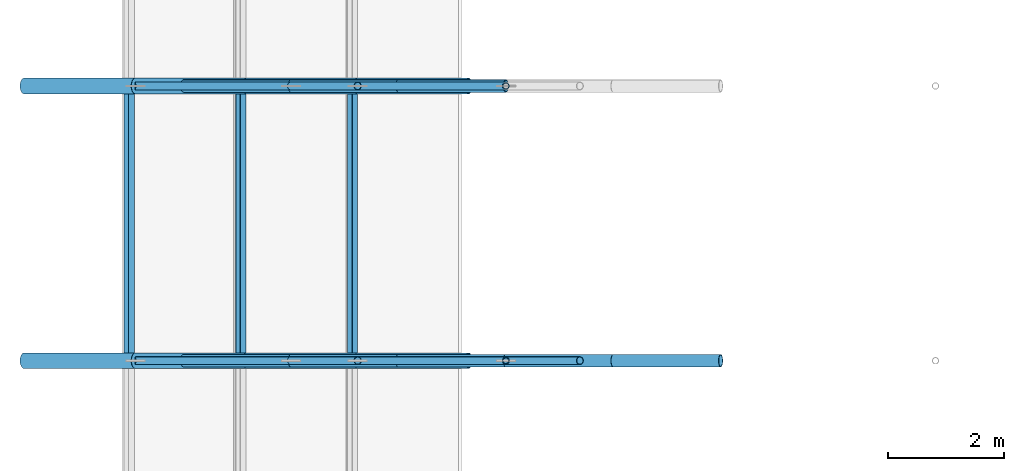
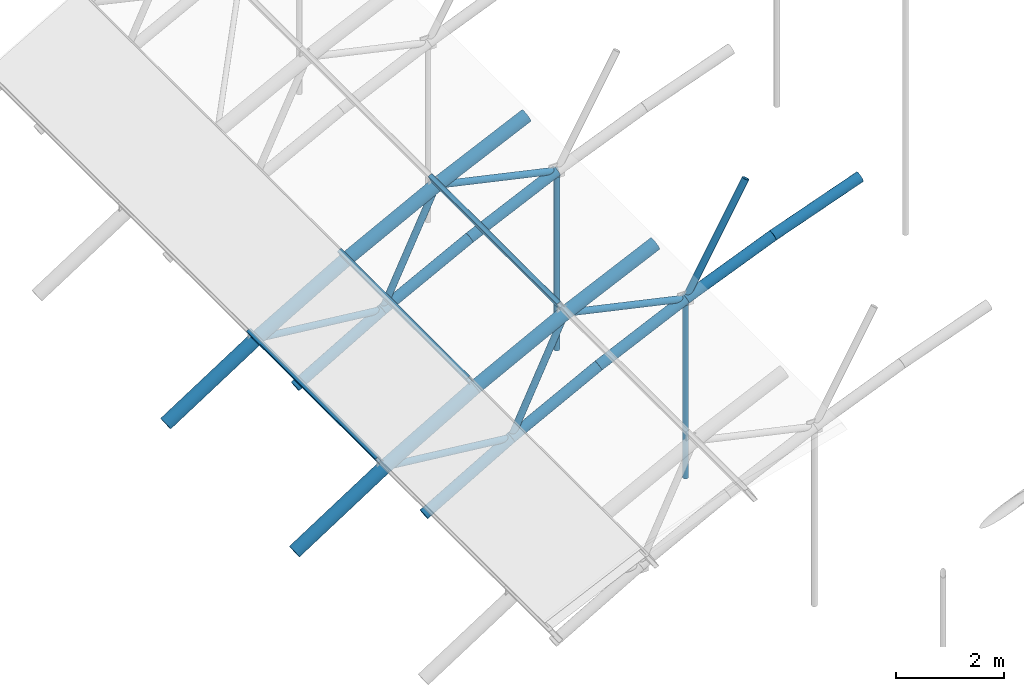
# One storey, part 10 of 50: 28 members.
"""IFC4 building model written with IfcOpenShell, lengths in metres."""

from ifc_helpers import new_model, si_unit, direction, frame, origin, origin_2d, place, context, subcontext, project, spatial, hollow_rectangle, hollow_circle, extrude, material, material_profile, profile_set, type_object, element, save


model = new_model("IFC4")

# Units and contexts
model_context = context("Model", 3, precision=1e-05, world=origin(), true_north=direction((0.0, 1.0)))
body_context = subcontext(model_context, "Body", "Model", "MODEL_VIEW")
ifc_project = project(units=[si_unit("LENGTHUNIT", "METRE"), si_unit("AREAUNIT", "SQUARE_METRE"), si_unit("VOLUMEUNIT", "CUBIC_METRE"), si_unit("PLANEANGLEUNIT", "RADIAN"), si_unit("MASSUNIT", "GRAM", prefix="KILO")], contexts=[model_context])

# Site, building, storey
site_placement = place(None, origin())
site = spatial("IfcSite", under=ifc_project, at=site_placement, CompositionType="ELEMENT")
building_placement = place(site_placement, origin())
building = spatial("IfcBuilding", under=site, at=building_placement, Name="Elbe Cascade School", CompositionType="ELEMENT")
storey_placement = place(building_placement, frame((0.0, 0.0, 15.300048828125)))
storey = spatial("IfcBuildingStorey", under=building, at=storey_placement, Name="L04", CompositionType="ELEMENT", Elevation=15.300048828125)

# Members
ifc_material_1 = material(Name="Steel S355J2H", Category="steel")
ifc_material_profile_1 = material_profile(ifc_material_1, hollow_circle(Radius=0.109619140625, WallThickness=0.012451171875, at=origin_2d()), Name="CHS 219.1x12.5")
ifc_profile_set_1 = profile_set([ifc_material_profile_1], Name="Steel S355J2H")
member_type_1 = type_object("IfcMemberType", Name="Hall rib bottom chord CHS 219.1x12.5", PredefinedType="CHORD", material=ifc_profile_set_1)
member_1_placement = place(storey_placement, frame((9.857177734375, 55.25, -0.509521484375), z_axis=(0.864836718866, 0.0, 0.502053233931), x_axis=(0.0, 1.0, 0.0)))
element("IfcMember", 1, at=member_1_placement, inside=storey, type_object=member_type_1, Name="Hall rib bottom chord CHS 219.1x12.5 M3", PredefinedType="CHORD", context=body_context, shape_type="SweptSolid", body=[
    extrude(hollow_circle(Radius=0.109619140625, WallThickness=0.012451171875, at=origin_2d()), origin(), (0.0, 0.0, 1.0), 2.1474609375),
])
member_2_placement = place(storey_placement, frame((11.71435546875, 55.25, 0.568603515625), z_axis=(0.886913089016, 0.0, 0.461936329523), x_axis=(0.0, 1.0, 0.0)))
element("IfcMember", 2, at=member_2_placement, inside=storey, type_object=member_type_1, Name="Hall rib bottom chord CHS 219.1x12.5 M3", PredefinedType="CHORD", context=body_context, shape_type="SweptSolid", body=[
    extrude(hollow_circle(Radius=0.109619140625, WallThickness=0.012451171875, at=origin_2d()), origin(), (0.0, 0.0, 1.0), 2.093994140625),
])
member_3_placement = place(storey_placement, frame((13.571533203125, 55.25, 1.535888671875), z_axis=(0.90670626979, 0.0, 0.421762658759), x_axis=(0.0, 1.0, 0.0)))
element("IfcMember", 3, at=member_3_placement, inside=storey, type_object=member_type_1, Name="Hall rib bottom chord CHS 219.1x12.5 M3", PredefinedType="CHORD", context=body_context, shape_type="SweptSolid", body=[
    extrude(hollow_circle(Radius=0.109619140625, WallThickness=0.012451171875, at=origin_2d()), origin(), (0.0, 0.0, 1.0), 2.048095703125),
])
member_4_placement = place(storey_placement, frame((15.428466796875, 55.25, 2.399658203125), z_axis=(0.924348085413, 0.0, 0.381550281083), x_axis=(0.0, 1.0, 0.0)))
element("IfcMember", 4, at=member_4_placement, inside=storey, type_object=member_type_1, Name="Hall rib bottom chord CHS 219.1x12.5 M3", PredefinedType="CHORD", context=body_context, shape_type="SweptSolid", body=[
    extrude(hollow_circle(Radius=0.109619140625, WallThickness=0.012451171875, at=origin_2d()), origin(), (0.0, 0.0, 1.0), 2.00927734375),
])
member_5_placement = place(storey_placement, frame((17.28564453125, 55.25, 3.166259765625), z_axis=(0.939919624861, 0.0, 0.341395809582), x_axis=(0.0, 1.0, 0.0)))
element("IfcMember", 5, at=member_5_placement, inside=storey, type_object=member_type_1, Name="Hall rib bottom chord CHS 219.1x12.5 M3", PredefinedType="CHORD", context=body_context, shape_type="SweptSolid", body=[
    extrude(hollow_circle(Radius=0.109619140625, WallThickness=0.012451171875, at=origin_2d()), origin(), (0.0, 0.0, 1.0), 1.975830078125),
])
member_6_placement = place(storey_placement, frame((9.857177734375, 60.0, -0.509521484375), z_axis=(0.864836718866, 0.0, 0.502053233931), x_axis=(0.0, 1.0, 0.0)))
element("IfcMember", 6, at=member_6_placement, inside=storey, type_object=member_type_1, Name="Hall rib bottom chord CHS 219.1x12.5 M3", PredefinedType="CHORD", context=body_context, shape_type="SweptSolid", body=[
    extrude(hollow_circle(Radius=0.109619140625, WallThickness=0.012451171875, at=origin_2d()), origin(), (0.0, 0.0, 1.0), 2.1474609375),
])
member_7_placement = place(storey_placement, frame((11.71435546875, 60.0, 0.568603515625), z_axis=(0.886913089016, 0.0, 0.461936329523), x_axis=(0.0, 1.0, 0.0)))
element("IfcMember", 7, at=member_7_placement, inside=storey, type_object=member_type_1, Name="Hall rib bottom chord CHS 219.1x12.5 M3", PredefinedType="CHORD", context=body_context, shape_type="SweptSolid", body=[
    extrude(hollow_circle(Radius=0.109619140625, WallThickness=0.012451171875, at=origin_2d()), origin(), (0.0, 0.0, 1.0), 2.093994140625),
])
member_8_placement = place(storey_placement, frame((13.571533203125, 60.0, 1.535888671875), z_axis=(0.90670626979, 0.0, 0.421762658759), x_axis=(0.0, 1.0, 0.0)))
element("IfcMember", 8, at=member_8_placement, inside=storey, type_object=member_type_1, Name="Hall rib bottom chord CHS 219.1x12.5 M3", PredefinedType="CHORD", context=body_context, shape_type="SweptSolid", body=[
    extrude(hollow_circle(Radius=0.109619140625, WallThickness=0.012451171875, at=origin_2d()), origin(), (0.0, 0.0, 1.0), 2.048095703125),
])
ifc_material_2 = material(Name="Steel S355J2H", Category="steel")
ifc_material_profile_2 = material_profile(ifc_material_2, hollow_circle(Radius=0.136474609375, WallThickness=0.012451171875, at=origin_2d()), Name="CHS 273x12.5")
ifc_profile_set_2 = profile_set([ifc_material_profile_2], Name="Steel S355J2H")
member_type_2 = type_object("IfcMemberType", Name="Hall rib top chord CHS 273x12.5", PredefinedType="CHORD", material=ifc_profile_set_2)
member_9_placement = place(storey_placement, frame((7.1005859375, 55.25, -0.384765625), z_axis=(0.840219764602, 0.0, 0.542246020891), x_axis=(0.0, 1.0, 0.0)))
element("IfcMember", 9, at=member_9_placement, inside=storey, type_object=member_type_2, Name="Hall rib top chord CHS 273x12.5 M2", PredefinedType="CHORD", context=body_context, shape_type="SweptSolid", body=[
    extrude(hollow_circle(Radius=0.136474609375, WallThickness=0.012451171875, at=origin_2d()), origin(), (0.0, 0.0, 1.0), 2.286865234375),
])
member_10_placement = place(storey_placement, frame((9.02197265625, 55.25, 0.855224609375), z_axis=(0.86482126995, 0.0, 0.502079845286), x_axis=(0.0, 1.0, 0.0)))
element("IfcMember", 10, at=member_10_placement, inside=storey, type_object=member_type_2, Name="Hall rib top chord CHS 273x12.5 M2", PredefinedType="CHORD", context=body_context, shape_type="SweptSolid", body=[
    extrude(hollow_circle(Radius=0.136474609375, WallThickness=0.012451171875, at=origin_2d()), origin(), (0.0, 0.0, 1.0), 2.2216796875),
])
member_11_placement = place(storey_placement, frame((10.943359375, 55.25, 1.970703125), z_axis=(0.886958329454, 0.0, 0.461849457954), x_axis=(0.0, 1.0, 0.0)))
element("IfcMember", 11, at=member_11_placement, inside=storey, type_object=member_type_2, Name="Hall rib top chord CHS 273x12.5 M2", PredefinedType="CHORD", context=body_context, shape_type="SweptSolid", body=[
    extrude(hollow_circle(Radius=0.136474609375, WallThickness=0.012451171875, at=origin_2d()), origin(), (0.0, 0.0, 1.0), 2.166259765625),
])
member_12_placement = place(storey_placement, frame((12.86474609375, 55.25, 2.97119140625), z_axis=(0.906697546089, 0.0, 0.421781412482), x_axis=(0.0, 1.0, 0.0)))
element("IfcMember", 12, at=member_12_placement, inside=storey, type_object=member_type_2, Name="Hall rib top chord CHS 273x12.5 M2", PredefinedType="CHORD", context=body_context, shape_type="SweptSolid", body=[
    extrude(hollow_circle(Radius=0.136474609375, WallThickness=0.012451171875, at=origin_2d()), origin(), (0.0, 0.0, 1.0), 2.119140625),
])
member_13_placement = place(storey_placement, frame((7.1005859375, 60.0, -0.384765625), z_axis=(0.840219764602, 0.0, 0.542246020891), x_axis=(0.0, 1.0, 0.0)))
element("IfcMember", 13, at=member_13_placement, inside=storey, type_object=member_type_2, Name="Hall rib top chord CHS 273x12.5 M2", PredefinedType="CHORD", context=body_context, shape_type="SweptSolid", body=[
    extrude(hollow_circle(Radius=0.136474609375, WallThickness=0.012451171875, at=origin_2d()), origin(), (0.0, 0.0, 1.0), 2.286865234375),
])
member_14_placement = place(storey_placement, frame((9.02197265625, 60.0, 0.855224609375), z_axis=(0.86482126995, 0.0, 0.502079845286), x_axis=(0.0, 1.0, 0.0)))
element("IfcMember", 14, at=member_14_placement, inside=storey, type_object=member_type_2, Name="Hall rib top chord CHS 273x12.5 M2", PredefinedType="CHORD", context=body_context, shape_type="SweptSolid", body=[
    extrude(hollow_circle(Radius=0.136474609375, WallThickness=0.012451171875, at=origin_2d()), origin(), (0.0, 0.0, 1.0), 2.2216796875),
])
member_15_placement = place(storey_placement, frame((10.943359375, 60.0, 1.970703125), z_axis=(0.886958329454, 0.0, 0.461849457954), x_axis=(0.0, 1.0, 0.0)))
element("IfcMember", 15, at=member_15_placement, inside=storey, type_object=member_type_2, Name="Hall rib top chord CHS 273x12.5 M2", PredefinedType="CHORD", context=body_context, shape_type="SweptSolid", body=[
    extrude(hollow_circle(Radius=0.136474609375, WallThickness=0.012451171875, at=origin_2d()), origin(), (0.0, 0.0, 1.0), 2.166259765625),
])
member_16_placement = place(storey_placement, frame((12.86474609375, 60.0, 2.97119140625), z_axis=(0.906697546089, 0.0, 0.421781412482), x_axis=(0.0, 1.0, 0.0)))
element("IfcMember", 16, at=member_16_placement, inside=storey, type_object=member_type_2, Name="Hall rib top chord CHS 273x12.5 M2", PredefinedType="CHORD", context=body_context, shape_type="SweptSolid", body=[
    extrude(hollow_circle(Radius=0.136474609375, WallThickness=0.012451171875, at=origin_2d()), origin(), (0.0, 0.0, 1.0), 2.119140625),
])
ifc_material_3 = material(Name="Steel S355J2H", Category="steel")
ifc_material_profile_3 = material_profile(ifc_material_3, hollow_circle(Radius=0.06982421875, WallThickness=0.008056640625, at=origin_2d()), Name="CHS 139.7x8")
ifc_profile_set_3 = profile_set([ifc_material_profile_3], Name="Steel S355J2H")
member_type_3 = type_object("IfcMemberType", Name="Hall rib web CHS 139.7x8", PredefinedType="BRACE", material=ifc_profile_set_3)
member_17_placement = place(storey_placement, frame((9.02197265625, 55.25, 0.855224609375), z_axis=(0.994381241781, 0.0, -0.1058581409), x_axis=(0.0, 1.0, 0.0)))
element("IfcMember", 17, at=member_17_placement, inside=storey, type_object=member_type_3, Name="Hall rib web CHS 139.7x8 M4", PredefinedType="BRACE", context=body_context, shape_type="SweptSolid", body=[
    extrude(hollow_circle(Radius=0.06982421875, WallThickness=0.008056640625, at=origin_2d()), origin(), (0.0, 0.0, 1.0), 2.70751953125),
])
member_18_placement = place(storey_placement, frame((11.71435546875, 55.25, 0.568603515625), z_axis=(0.431860834408, 0.0, 0.901940252846), x_axis=(0.0, 1.0, 0.0)))
element("IfcMember", 18, at=member_18_placement, inside=storey, type_object=member_type_3, Name="Hall rib web CHS 139.7x8 M4", PredefinedType="BRACE", context=body_context, shape_type="SweptSolid", body=[
    extrude(hollow_circle(Radius=0.06982421875, WallThickness=0.008056640625, at=origin_2d()), origin(), (0.0, 0.0, 1.0), 2.663818359375),
])
member_19_placement = place(storey_placement, frame((12.86474609375, 55.25, 2.97119140625), z_axis=(0.976040308699, 0.0, -0.217589787893), x_axis=(0.0, 1.0, 0.0)))
element("IfcMember", 19, at=member_19_placement, inside=storey, type_object=member_type_3, Name="Hall rib web CHS 139.7x8 M4", PredefinedType="BRACE", context=body_context, shape_type="SweptSolid", body=[
    extrude(hollow_circle(Radius=0.06982421875, WallThickness=0.008056640625, at=origin_2d()), origin(), (0.0, 0.0, 1.0), 2.626708984375),
])
member_20_placement = place(storey_placement, frame((15.428466796875, 55.25, 2.399658203125), z_axis=(0.492822683539, 0.0, 0.870129761926), x_axis=(0.0, 1.0, 0.0)))
element("IfcMember", 20, at=member_20_placement, inside=storey, type_object=member_type_3, Name="Hall rib web CHS 139.7x8 M4", PredefinedType="BRACE", context=body_context, shape_type="SweptSolid", body=[
    extrude(hollow_circle(Radius=0.06982421875, WallThickness=0.008056640625, at=origin_2d()), origin(), (0.0, 0.0, 1.0), 2.595458984375),
])
member_21_placement = place(storey_placement, frame((9.02197265625, 60.0, 0.855224609375), z_axis=(0.994381241781, 0.0, -0.1058581409), x_axis=(0.0, 1.0, 0.0)))
element("IfcMember", 21, at=member_21_placement, inside=storey, type_object=member_type_3, Name="Hall rib web CHS 139.7x8 M4", PredefinedType="BRACE", context=body_context, shape_type="SweptSolid", body=[
    extrude(hollow_circle(Radius=0.06982421875, WallThickness=0.008056640625, at=origin_2d()), origin(), (0.0, 0.0, 1.0), 2.70751953125),
])
member_22_placement = place(storey_placement, frame((11.71435546875, 60.0, 0.568603515625), z_axis=(0.431860834408, 0.0, 0.901940252846), x_axis=(0.0, 1.0, 0.0)))
element("IfcMember", 22, at=member_22_placement, inside=storey, type_object=member_type_3, Name="Hall rib web CHS 139.7x8 M4", PredefinedType="BRACE", context=body_context, shape_type="SweptSolid", body=[
    extrude(hollow_circle(Radius=0.06982421875, WallThickness=0.008056640625, at=origin_2d()), origin(), (0.0, 0.0, 1.0), 2.663818359375),
])
member_23_placement = place(storey_placement, frame((12.86474609375, 60.0, 2.97119140625), z_axis=(0.976040308699, 0.0, -0.217589787893), x_axis=(0.0, 1.0, 0.0)))
element("IfcMember", 23, at=member_23_placement, inside=storey, type_object=member_type_3, Name="Hall rib web CHS 139.7x8 M4", PredefinedType="BRACE", context=body_context, shape_type="SweptSolid", body=[
    extrude(hollow_circle(Radius=0.06982421875, WallThickness=0.008056640625, at=origin_2d()), origin(), (0.0, 0.0, 1.0), 2.626708984375),
])
ifc_material_4 = material(Name="Steel S355J2H", Category="steel")
ifc_material_profile_4 = material_profile(ifc_material_4, hollow_rectangle(XDim=0.10009765625, YDim=0.199951171875, WallThickness=0.008056640625, InnerFilletRadius=0.008056640625, OuterFilletRadius=0.011962890625, at=origin_2d()), Name="RHS 200x100x8")
ifc_profile_set_4 = profile_set([ifc_material_profile_4], Name="Steel S355J2H")
member_type_4 = type_object("IfcMemberType", Name="Hall roof purlin RHS 200x100x8", PredefinedType="PURLIN", material=ifc_profile_set_4)
for number, where, z_axis, x_axis, name in (
    (24, (8.9140625, 55.25, 1.03125), (0.0, 1.0, 0.0), (-0.852940758882, 0.0, -0.52200772201), "Hall roof purlin RHS 200x100x8 M8"),
    (25, (10.84375, 55.25, 2.151611328125), (0.0, 1.0, 0.0), (-0.876251912848, 0.0, -0.481853281851), "Hall roof purlin RHS 200x100x8 M8"),
    (26, (12.7734375, 55.25, 3.156494140625), (0.0, 1.0, 0.0), (-0.897163381573, 0.0, -0.441698841706), "Hall roof purlin RHS 200x100x8 M8"),
):
    element("IfcMember", number, at=place(storey_placement, frame(where, z_axis=z_axis, x_axis=x_axis)), inside=storey, type_object=member_type_4, Name=name, PredefinedType="PURLIN", context=body_context, shape_type="SweptSolid", body=[
        extrude(hollow_rectangle(XDim=0.10009765625, YDim=0.199951171875, WallThickness=0.008056640625, InnerFilletRadius=0.008056640625, OuterFilletRadius=0.011962890625, at=origin_2d()), origin(), (0.0, 0.0, 1.0), 4.75),
    ])
ifc_material_5 = material(Name="Steel S355J2H", Category="steel")
ifc_material_profile_5 = material_profile(ifc_material_5, hollow_circle(Radius=0.05712890625, WallThickness=0.00634765625, at=origin_2d()), Name="CHS 114.3x6.3")
ifc_profile_set_5 = profile_set([ifc_material_profile_5], Name="Steel S355J2H")
member_type_5 = type_object("IfcMemberType", Name="Hall tie hanger CHS 114.3x6.3", PredefinedType="POST", material=ifc_profile_set_5)
for number, where, z_axis, x_axis, name in (
    (27, (15.428466796875, 55.25, -1.623779296875), (0.0, 0.0, 1.0), (1.0, 0.0, 0.0), "Hall tie hanger CHS 114.3x6.3 M7"),
    (28, (15.428466796875, 60.0, -1.623779296875), (0.0, 0.0, 1.0), (1.0, 0.0, 0.0), "Hall tie hanger CHS 114.3x6.3 M7"),
):
    element("IfcMember", number, at=place(storey_placement, frame(where, z_axis=z_axis, x_axis=x_axis)), inside=storey, type_object=member_type_5, Name=name, PredefinedType="POST", context=body_context, shape_type="SweptSolid", body=[
        extrude(hollow_circle(Radius=0.05712890625, WallThickness=0.00634765625, at=origin_2d()), origin(), (0.0, 0.0, 1.0), 3.90380859375),
    ])

save(model, "model.ifc")
